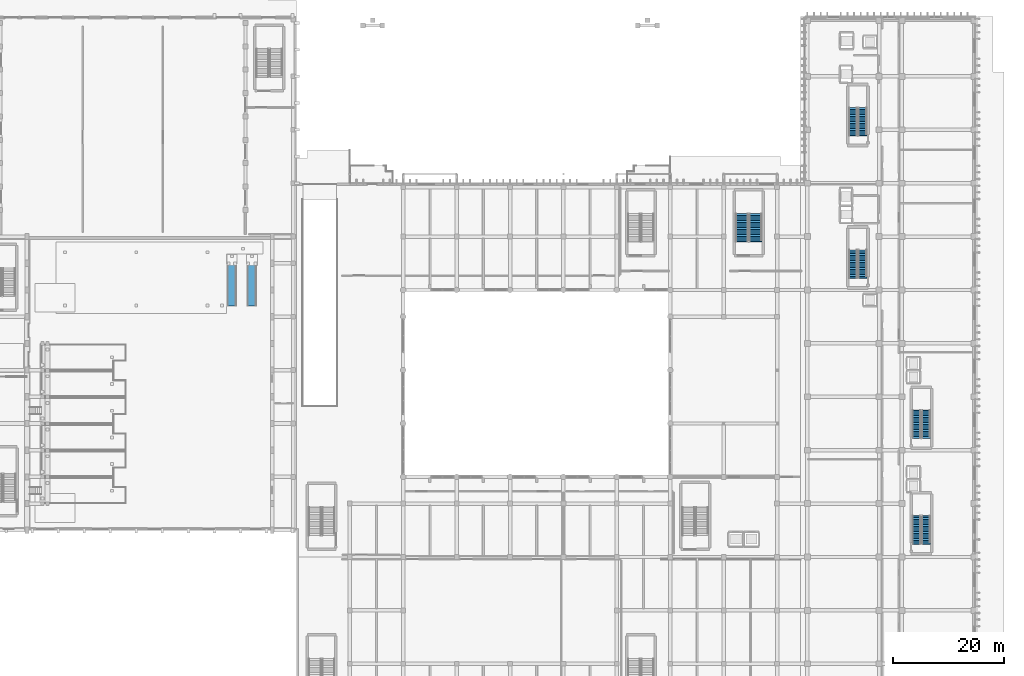
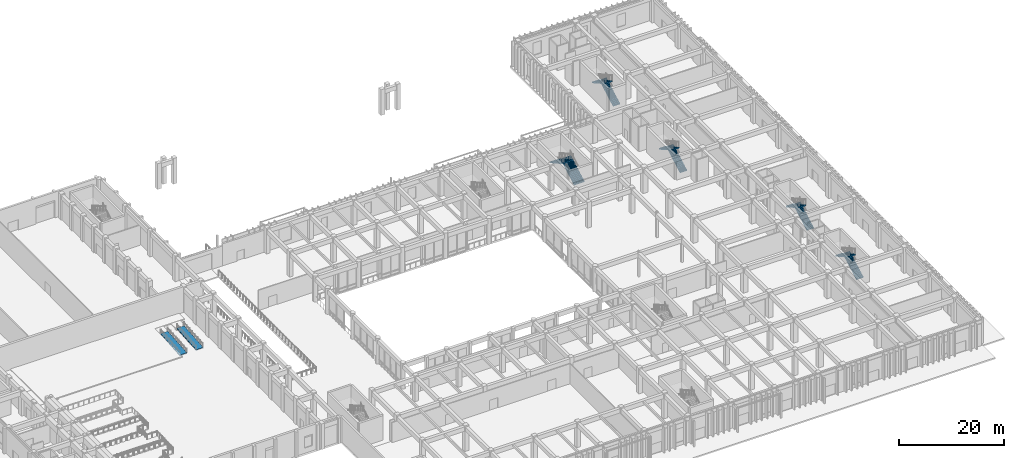
# One storey, part 54 of 87: 10 stair flights, 2 ramp flights, 7 elements without a shape of their own.
"""IFC4 building model written with IfcOpenShell, lengths in metres."""

from ifc_helpers import new_model, si_unit, direction, frame, origin, place, context, subcontext, project, spatial, polyline, outline, extrude, material, layer, layer_set, type_object, element, aggregate, save


model = new_model("IFC4")

# Units and contexts
model_context = context("Model", 3, precision=1e-05, world=origin(), true_north=direction((0.0, 1.0)))
body_context = subcontext(model_context, "Body", "Model", "MODEL_VIEW")
ifc_project = project(units=[si_unit("LENGTHUNIT", "METRE"), si_unit("AREAUNIT", "SQUARE_METRE"), si_unit("VOLUMEUNIT", "CUBIC_METRE"), si_unit("PLANEANGLEUNIT", "RADIAN"), si_unit("MASSUNIT", "GRAM", prefix="KILO")], contexts=[model_context])

# Site, building, storey
site_placement = place(None, origin())
site = spatial("IfcSite", under=ifc_project, at=site_placement, CompositionType="ELEMENT")
building_placement = place(site_placement, origin())
building = spatial("IfcBuilding", under=site, at=building_placement, Name="Nakhvara Creek Congress Hotel", CompositionType="ELEMENT")
storey_placement = place(building_placement, origin())
storey = spatial("IfcBuildingStorey", under=building, at=storey_placement, Name="L00", CompositionType="ELEMENT", Elevation=0.0)

# Stair, stair flights
ifc_material = material(Name="Concrete C40/50", Category="concrete")
stair_type_1 = type_object("IfcStairType", Name="ST-CORE-160", PredefinedType="HALF_TURN_STAIR", material=ifc_material)
stair_1_placement = place(storey_placement, origin())
stair_1 = element("IfcStair", 1, at=stair_1_placement, inside=storey, type_object=stair_type_1, Name="L00 Protected Exit Stair ST01", PredefinedType="HALF_TURN_STAIR")
ifc_layer_1 = layer(ifc_material, 0.18994140625)
ifc_layer_set_1 = layer_set([ifc_layer_1], Name="Concrete C40/50")
stair_flight_type_1 = type_object("IfcStairFlightType", Name="SFL-RC-160", PredefinedType="STRAIGHT", material=ifc_layer_set_1)
stair_flight_1_placement = place(storey_placement, frame((159.3798828125, 78.93994140625, 0.0), z_axis=(0.0, 0.0, 1.0), x_axis=(0.0, 1.0, 0.0)))
stair_flight_1 = element("IfcStairFlight", 2, at=stair_flight_1_placement, type_object=stair_flight_type_1, Name="ST01 flight 1", NumberOfRisers=17, NumberOfTreads=16, PredefinedType="STRAIGHT", RiserHeight=0.176470588, TreadLength=0.315, context=body_context, shape_type="SweptSolid", body=[
    extrude(outline(polyline([(-0.048095703125, 0.0), (0.0, 0.0), (0.0, 0.176513671875), (0.31494140625, 0.176513671875), (0.31494140625, 0.35302734375), (0.6298828125, 0.35302734375), (0.6298828125, 0.529296875), (0.945068359375, 0.529296875), (0.945068359375, 0.705810546875), (1.260009765625, 0.705810546875), (1.260009765625, 0.88232421875), (1.574951171875, 0.88232421875), (1.574951171875, 1.058837890625), (1.889892578125, 1.058837890625), (1.889892578125, 1.2353515625), (2.205078125, 1.2353515625), (2.205078125, 1.411865234375), (2.52001953125, 1.411865234375), (2.52001953125, 1.588134765625), (2.8349609375, 1.588134765625), (2.8349609375, 1.7646484375), (3.14990234375, 1.7646484375), (3.14990234375, 1.941162109375), (3.465087890625, 1.941162109375), (3.465087890625, 2.11767578125), (3.780029296875, 2.11767578125), (3.780029296875, 2.294189453125), (4.094970703125, 2.294189453125), (4.094970703125, 2.470703125), (4.409912109375, 2.470703125), (4.409912109375, 2.64697265625), (4.72509765625, 2.64697265625), (4.72509765625, 2.823486328125), (5.0400390625, 2.823486328125), (5.0400390625, 3.0), (5.088134765625, 3.0), (5.088134765625, 2.85009765625), (5.0400390625, 2.651611328125), (0.0390625, -0.14990234375), (-0.048095703125, -0.14990234375), (-0.048095703125, 0.0)])), frame((0.0, 0.77001953125, 0.0), z_axis=(0.0, -1.0, 0.0), x_axis=(1.0, 0.0, 0.0)), (0.0, 0.0, 1.0), 1.5400390625),
])
stair_flight_2_placement = place(storey_placement, frame((157.68994140625, 83.97998046875, 3.0), z_axis=(0.0, 0.0, 1.0), x_axis=(0.0, -1.0, 0.0)))
stair_flight_2 = element("IfcStairFlight", 3, at=stair_flight_2_placement, type_object=stair_flight_type_1, Name="ST01 flight 2", NumberOfRisers=17, NumberOfTreads=16, PredefinedType="STRAIGHT", RiserHeight=0.176470588, TreadLength=0.315, context=body_context, shape_type="SweptSolid", body=[
    extrude(outline(polyline([(-0.048095703125, 0.0), (0.0, 0.0), (0.0, 0.176513671875), (0.31494140625, 0.176513671875), (0.31494140625, 0.35302734375), (0.6298828125, 0.35302734375), (0.6298828125, 0.529296875), (0.945068359375, 0.529296875), (0.945068359375, 0.705810546875), (1.260009765625, 0.705810546875), (1.260009765625, 0.88232421875), (1.574951171875, 0.88232421875), (1.574951171875, 1.058837890625), (1.889892578125, 1.058837890625), (1.889892578125, 1.2353515625), (2.205078125, 1.2353515625), (2.205078125, 1.411865234375), (2.52001953125, 1.411865234375), (2.52001953125, 1.588134765625), (2.8349609375, 1.588134765625), (2.8349609375, 1.7646484375), (3.14990234375, 1.7646484375), (3.14990234375, 1.941162109375), (3.465087890625, 1.941162109375), (3.465087890625, 2.11767578125), (3.780029296875, 2.11767578125), (3.780029296875, 2.294189453125), (4.094970703125, 2.294189453125), (4.094970703125, 2.470703125), (4.409912109375, 2.470703125), (4.409912109375, 2.64697265625), (4.72509765625, 2.64697265625), (4.72509765625, 2.823486328125), (5.0400390625, 2.823486328125), (5.0400390625, 3.0), (5.088134765625, 3.0), (5.088134765625, 2.85009765625), (5.0400390625, 2.651611328125), (0.0390625, -0.14990234375), (-0.048095703125, -0.14990234375), (-0.048095703125, 0.0)])), frame((0.0, 0.77001953125, 0.0), z_axis=(0.0, -1.0, 0.0), x_axis=(1.0, 0.0, 0.0)), (0.0, 0.0, 1.0), 1.5400390625),
])
aggregate(stair_1, [stair_flight_1, stair_flight_2])

stair_2_placement = place(storey_placement, origin())
stair_2 = element("IfcStair", 4, at=stair_2_placement, inside=storey, type_object=stair_type_1, Name="L00 Protected Exit Stair ST02", PredefinedType="HALF_TURN_STAIR")
stair_flight_3_placement = place(storey_placement, frame((159.3798828125, 104.5400390625, 0.0), z_axis=(0.0, 0.0, 1.0), x_axis=(0.0, 1.0, 0.0)))
stair_flight_3 = element("IfcStairFlight", 5, at=stair_flight_3_placement, type_object=stair_flight_type_1, Name="ST02 flight 1", NumberOfRisers=17, NumberOfTreads=16, PredefinedType="STRAIGHT", RiserHeight=0.176470588, TreadLength=0.315, context=body_context, shape_type="SweptSolid", body=[
    extrude(outline(polyline([(-0.048095703125, 0.0), (0.0, 0.0), (0.0, 0.176513671875), (0.31494140625, 0.176513671875), (0.31494140625, 0.35302734375), (0.6298828125, 0.35302734375), (0.6298828125, 0.529296875), (0.945068359375, 0.529296875), (0.945068359375, 0.705810546875), (1.260009765625, 0.705810546875), (1.260009765625, 0.88232421875), (1.574951171875, 0.88232421875), (1.574951171875, 1.058837890625), (1.889892578125, 1.058837890625), (1.889892578125, 1.2353515625), (2.205078125, 1.2353515625), (2.205078125, 1.411865234375), (2.52001953125, 1.411865234375), (2.52001953125, 1.588134765625), (2.8349609375, 1.588134765625), (2.8349609375, 1.7646484375), (3.14990234375, 1.7646484375), (3.14990234375, 1.941162109375), (3.465087890625, 1.941162109375), (3.465087890625, 2.11767578125), (3.780029296875, 2.11767578125), (3.780029296875, 2.294189453125), (4.094970703125, 2.294189453125), (4.094970703125, 2.470703125), (4.409912109375, 2.470703125), (4.409912109375, 2.64697265625), (4.72509765625, 2.64697265625), (4.72509765625, 2.823486328125), (5.0400390625, 2.823486328125), (5.0400390625, 3.0), (5.088134765625, 3.0), (5.088134765625, 2.85009765625), (5.0400390625, 2.651611328125), (0.0390625, -0.14990234375), (-0.048095703125, -0.14990234375), (-0.048095703125, 0.0)])), frame((0.0, 0.77001953125, 0.0), z_axis=(0.0, -1.0, 0.0), x_axis=(1.0, 0.0, 0.0)), (0.0, 0.0, 1.0), 1.5400390625),
])
stair_flight_4_placement = place(storey_placement, frame((157.68994140625, 109.580078125, 3.0), z_axis=(0.0, 0.0, 1.0), x_axis=(0.0, -1.0, 0.0)))
stair_flight_4 = element("IfcStairFlight", 6, at=stair_flight_4_placement, type_object=stair_flight_type_1, Name="ST02 flight 2", NumberOfRisers=17, NumberOfTreads=16, PredefinedType="STRAIGHT", RiserHeight=0.176470588, TreadLength=0.315, context=body_context, shape_type="SweptSolid", body=[
    extrude(outline(polyline([(-0.048095703125, 0.0), (0.0, 0.0), (0.0, 0.176513671875), (0.31494140625, 0.176513671875), (0.31494140625, 0.35302734375), (0.6298828125, 0.35302734375), (0.6298828125, 0.529296875), (0.945068359375, 0.529296875), (0.945068359375, 0.705810546875), (1.260009765625, 0.705810546875), (1.260009765625, 0.88232421875), (1.574951171875, 0.88232421875), (1.574951171875, 1.058837890625), (1.889892578125, 1.058837890625), (1.889892578125, 1.2353515625), (2.205078125, 1.2353515625), (2.205078125, 1.411865234375), (2.52001953125, 1.411865234375), (2.52001953125, 1.588134765625), (2.8349609375, 1.588134765625), (2.8349609375, 1.7646484375), (3.14990234375, 1.7646484375), (3.14990234375, 1.941162109375), (3.465087890625, 1.941162109375), (3.465087890625, 2.11767578125), (3.780029296875, 2.11767578125), (3.780029296875, 2.294189453125), (4.094970703125, 2.294189453125), (4.094970703125, 2.470703125), (4.409912109375, 2.470703125), (4.409912109375, 2.64697265625), (4.72509765625, 2.64697265625), (4.72509765625, 2.823486328125), (5.0400390625, 2.823486328125), (5.0400390625, 3.0), (5.088134765625, 3.0), (5.088134765625, 2.85009765625), (5.0400390625, 2.651611328125), (0.0390625, -0.14990234375), (-0.048095703125, -0.14990234375), (-0.048095703125, 0.0)])), frame((0.0, 0.77001953125, 0.0), z_axis=(0.0, -1.0, 0.0), x_axis=(1.0, 0.0, 0.0)), (0.0, 0.0, 1.0), 1.5400390625),
])
aggregate(stair_2, [stair_flight_3, stair_flight_4])

stair_3_placement = place(storey_placement, origin())
stair_3 = element("IfcStair", 7, at=stair_3_placement, inside=storey, type_object=stair_type_1, Name="L00 Protected Exit Stair ST03", PredefinedType="HALF_TURN_STAIR")
stair_flight_5_placement = place(storey_placement, frame((170.780029296875, 31.139892578125, 0.0), z_axis=(0.0, 0.0, 1.0), x_axis=(0.0, 1.0, 0.0)))
stair_flight_5 = element("IfcStairFlight", 8, at=stair_flight_5_placement, type_object=stair_flight_type_1, Name="ST03 flight 1", NumberOfRisers=17, NumberOfTreads=16, PredefinedType="STRAIGHT", RiserHeight=0.176470588, TreadLength=0.315, context=body_context, shape_type="SweptSolid", body=[
    extrude(outline(polyline([(-0.048095703125, 0.0), (0.0, 0.0), (0.0, 0.176513671875), (0.31494140625, 0.176513671875), (0.31494140625, 0.35302734375), (0.6298828125, 0.35302734375), (0.6298828125, 0.529296875), (0.945068359375, 0.529296875), (0.945068359375, 0.705810546875), (1.260009765625, 0.705810546875), (1.260009765625, 0.88232421875), (1.574951171875, 0.88232421875), (1.574951171875, 1.058837890625), (1.889892578125, 1.058837890625), (1.889892578125, 1.2353515625), (2.205078125, 1.2353515625), (2.205078125, 1.411865234375), (2.52001953125, 1.411865234375), (2.52001953125, 1.588134765625), (2.8349609375, 1.588134765625), (2.8349609375, 1.7646484375), (3.14990234375, 1.7646484375), (3.14990234375, 1.941162109375), (3.465087890625, 1.941162109375), (3.465087890625, 2.11767578125), (3.780029296875, 2.11767578125), (3.780029296875, 2.294189453125), (4.094970703125, 2.294189453125), (4.094970703125, 2.470703125), (4.409912109375, 2.470703125), (4.409912109375, 2.64697265625), (4.72509765625, 2.64697265625), (4.72509765625, 2.823486328125), (5.0400390625, 2.823486328125), (5.0400390625, 3.0), (5.088134765625, 3.0), (5.088134765625, 2.85009765625), (5.0400390625, 2.651611328125), (0.0390625, -0.14990234375), (-0.048095703125, -0.14990234375), (-0.048095703125, 0.0)])), frame((0.0, 0.77001953125, 0.0), z_axis=(0.0, -1.0, 0.0), x_axis=(1.0, 0.0, 0.0)), (0.0, 0.0, 1.0), 1.5400390625),
])
stair_flight_6_placement = place(storey_placement, frame((169.090087890625, 36.179931640625, 3.0), z_axis=(0.0, 0.0, 1.0), x_axis=(0.0, -1.0, 0.0)))
stair_flight_6 = element("IfcStairFlight", 9, at=stair_flight_6_placement, type_object=stair_flight_type_1, Name="ST03 flight 2", NumberOfRisers=17, NumberOfTreads=16, PredefinedType="STRAIGHT", RiserHeight=0.176470588, TreadLength=0.315, context=body_context, shape_type="SweptSolid", body=[
    extrude(outline(polyline([(-0.048095703125, 0.0), (0.0, 0.0), (0.0, 0.176513671875), (0.31494140625, 0.176513671875), (0.31494140625, 0.35302734375), (0.6298828125, 0.35302734375), (0.6298828125, 0.529296875), (0.945068359375, 0.529296875), (0.945068359375, 0.705810546875), (1.260009765625, 0.705810546875), (1.260009765625, 0.88232421875), (1.574951171875, 0.88232421875), (1.574951171875, 1.058837890625), (1.889892578125, 1.058837890625), (1.889892578125, 1.2353515625), (2.205078125, 1.2353515625), (2.205078125, 1.411865234375), (2.52001953125, 1.411865234375), (2.52001953125, 1.588134765625), (2.8349609375, 1.588134765625), (2.8349609375, 1.7646484375), (3.14990234375, 1.7646484375), (3.14990234375, 1.941162109375), (3.465087890625, 1.941162109375), (3.465087890625, 2.11767578125), (3.780029296875, 2.11767578125), (3.780029296875, 2.294189453125), (4.094970703125, 2.294189453125), (4.094970703125, 2.470703125), (4.409912109375, 2.470703125), (4.409912109375, 2.64697265625), (4.72509765625, 2.64697265625), (4.72509765625, 2.823486328125), (5.0400390625, 2.823486328125), (5.0400390625, 3.0), (5.088134765625, 3.0), (5.088134765625, 2.85009765625), (5.0400390625, 2.651611328125), (0.0390625, -0.14990234375), (-0.048095703125, -0.14990234375), (-0.048095703125, 0.0)])), frame((0.0, 0.77001953125, 0.0), z_axis=(0.0, -1.0, 0.0), x_axis=(1.0, 0.0, 0.0)), (0.0, 0.0, 1.0), 1.5400390625),
])
aggregate(stair_3, [stair_flight_5, stair_flight_6])

stair_4_placement = place(storey_placement, origin())
stair_4 = element("IfcStair", 10, at=stair_4_placement, inside=storey, type_object=stair_type_1, Name="L00 Protected Exit Stair ST04", PredefinedType="HALF_TURN_STAIR")
stair_flight_7_placement = place(storey_placement, frame((170.780029296875, 50.139892578125, 0.0), z_axis=(0.0, 0.0, 1.0), x_axis=(0.0, 1.0, 0.0)))
stair_flight_7 = element("IfcStairFlight", 11, at=stair_flight_7_placement, type_object=stair_flight_type_1, Name="ST04 flight 1", NumberOfRisers=17, NumberOfTreads=16, PredefinedType="STRAIGHT", RiserHeight=0.176470588, TreadLength=0.315, context=body_context, shape_type="SweptSolid", body=[
    extrude(outline(polyline([(-0.048095703125, 0.0), (0.0, 0.0), (0.0, 0.176513671875), (0.31494140625, 0.176513671875), (0.31494140625, 0.35302734375), (0.6298828125, 0.35302734375), (0.6298828125, 0.529296875), (0.945068359375, 0.529296875), (0.945068359375, 0.705810546875), (1.260009765625, 0.705810546875), (1.260009765625, 0.88232421875), (1.574951171875, 0.88232421875), (1.574951171875, 1.058837890625), (1.889892578125, 1.058837890625), (1.889892578125, 1.2353515625), (2.205078125, 1.2353515625), (2.205078125, 1.411865234375), (2.52001953125, 1.411865234375), (2.52001953125, 1.588134765625), (2.8349609375, 1.588134765625), (2.8349609375, 1.7646484375), (3.14990234375, 1.7646484375), (3.14990234375, 1.941162109375), (3.465087890625, 1.941162109375), (3.465087890625, 2.11767578125), (3.780029296875, 2.11767578125), (3.780029296875, 2.294189453125), (4.094970703125, 2.294189453125), (4.094970703125, 2.470703125), (4.409912109375, 2.470703125), (4.409912109375, 2.64697265625), (4.72509765625, 2.64697265625), (4.72509765625, 2.823486328125), (5.0400390625, 2.823486328125), (5.0400390625, 3.0), (5.088134765625, 3.0), (5.088134765625, 2.85009765625), (5.0400390625, 2.651611328125), (0.0390625, -0.14990234375), (-0.048095703125, -0.14990234375), (-0.048095703125, 0.0)])), frame((0.0, 0.77001953125, 0.0), z_axis=(0.0, -1.0, 0.0), x_axis=(1.0, 0.0, 0.0)), (0.0, 0.0, 1.0), 1.5400390625),
])
stair_flight_8_placement = place(storey_placement, frame((169.090087890625, 55.179931640625, 3.0), z_axis=(0.0, 0.0, 1.0), x_axis=(0.0, -1.0, 0.0)))
stair_flight_8 = element("IfcStairFlight", 12, at=stair_flight_8_placement, type_object=stair_flight_type_1, Name="ST04 flight 2", NumberOfRisers=17, NumberOfTreads=16, PredefinedType="STRAIGHT", RiserHeight=0.176470588, TreadLength=0.315, context=body_context, shape_type="SweptSolid", body=[
    extrude(outline(polyline([(-0.048095703125, 0.0), (0.0, 0.0), (0.0, 0.176513671875), (0.31494140625, 0.176513671875), (0.31494140625, 0.35302734375), (0.6298828125, 0.35302734375), (0.6298828125, 0.529296875), (0.945068359375, 0.529296875), (0.945068359375, 0.705810546875), (1.260009765625, 0.705810546875), (1.260009765625, 0.88232421875), (1.574951171875, 0.88232421875), (1.574951171875, 1.058837890625), (1.889892578125, 1.058837890625), (1.889892578125, 1.2353515625), (2.205078125, 1.2353515625), (2.205078125, 1.411865234375), (2.52001953125, 1.411865234375), (2.52001953125, 1.588134765625), (2.8349609375, 1.588134765625), (2.8349609375, 1.7646484375), (3.14990234375, 1.7646484375), (3.14990234375, 1.941162109375), (3.465087890625, 1.941162109375), (3.465087890625, 2.11767578125), (3.780029296875, 2.11767578125), (3.780029296875, 2.294189453125), (4.094970703125, 2.294189453125), (4.094970703125, 2.470703125), (4.409912109375, 2.470703125), (4.409912109375, 2.64697265625), (4.72509765625, 2.64697265625), (4.72509765625, 2.823486328125), (5.0400390625, 2.823486328125), (5.0400390625, 3.0), (5.088134765625, 3.0), (5.088134765625, 2.85009765625), (5.0400390625, 2.651611328125), (0.0390625, -0.14990234375), (-0.048095703125, -0.14990234375), (-0.048095703125, 0.0)])), frame((0.0, 0.77001953125, 0.0), z_axis=(0.0, -1.0, 0.0), x_axis=(1.0, 0.0, 0.0)), (0.0, 0.0, 1.0), 1.5400390625),
])
aggregate(stair_4, [stair_flight_7, stair_flight_8])

stair_type_2 = type_object("IfcStairType", Name="ST-CORE-230", PredefinedType="HALF_TURN_STAIR", material=ifc_material)
stair_5_placement = place(storey_placement, origin())
stair_5 = element("IfcStair", 13, at=stair_5_placement, inside=storey, type_object=stair_type_2, Name="L00 Protected Exit Stair ST10", PredefinedType="HALF_TURN_STAIR")
ifc_layer_2 = layer(ifc_material, 0.219970703125)
ifc_layer_set_2 = layer_set([ifc_layer_2], Name="Concrete C40/50")
stair_flight_type_2 = type_object("IfcStairFlightType", Name="SFL-RC-230", PredefinedType="STRAIGHT", material=ifc_layer_set_2)
stair_flight_9_placement = place(storey_placement, frame((140.139892578125, 85.47998046875, 0.0), z_axis=(0.0, 0.0, 1.0), x_axis=(0.0, 1.0, 0.0)))
stair_flight_9 = element("IfcStairFlight", 14, at=stair_flight_9_placement, type_object=stair_flight_type_2, Name="ST10 flight 1", NumberOfRisers=17, NumberOfTreads=16, PredefinedType="STRAIGHT", RiserHeight=0.176470588, TreadLength=0.315, context=body_context, shape_type="SweptSolid", body=[
    extrude(outline(polyline([(-0.048095703125, 0.0), (0.0, 0.0), (0.0, 0.176513671875), (0.31494140625, 0.176513671875), (0.31494140625, 0.35302734375), (0.6298828125, 0.35302734375), (0.6298828125, 0.529296875), (0.945068359375, 0.529296875), (0.945068359375, 0.705810546875), (1.260009765625, 0.705810546875), (1.260009765625, 0.88232421875), (1.574951171875, 0.88232421875), (1.574951171875, 1.058837890625), (1.889892578125, 1.058837890625), (1.889892578125, 1.2353515625), (2.205078125, 1.2353515625), (2.205078125, 1.411865234375), (2.52001953125, 1.411865234375), (2.52001953125, 1.588134765625), (2.8349609375, 1.588134765625), (2.8349609375, 1.7646484375), (3.14990234375, 1.7646484375), (3.14990234375, 1.941162109375), (3.465087890625, 1.941162109375), (3.465087890625, 2.11767578125), (3.780029296875, 2.11767578125), (3.780029296875, 2.294189453125), (4.094970703125, 2.294189453125), (4.094970703125, 2.470703125), (4.409912109375, 2.470703125), (4.409912109375, 2.64697265625), (4.72509765625, 2.64697265625), (4.72509765625, 2.823486328125), (5.0400390625, 2.823486328125), (5.0400390625, 3.0), (5.088134765625, 3.0), (5.088134765625, 2.85009765625), (5.0400390625, 2.651611328125), (0.0390625, -0.14990234375), (-0.048095703125, -0.14990234375), (-0.048095703125, 0.0)])), frame((0.0, 1.14013671875, 0.0), z_axis=(0.0, -1.0, 0.0), x_axis=(1.0, 0.0, 0.0)), (0.0, 0.0, 1.0), 2.280029296875),
])
stair_flight_10_placement = place(storey_placement, frame((137.7099609375, 90.52001953125, 3.0), z_axis=(0.0, 0.0, 1.0), x_axis=(0.0, -1.0, 0.0)))
stair_flight_10 = element("IfcStairFlight", 15, at=stair_flight_10_placement, type_object=stair_flight_type_2, Name="ST10 flight 2", NumberOfRisers=17, NumberOfTreads=16, PredefinedType="STRAIGHT", RiserHeight=0.176470588, TreadLength=0.315, context=body_context, shape_type="SweptSolid", body=[
    extrude(outline(polyline([(-0.048095703125, 0.0), (0.0, 0.0), (0.0, 0.176513671875), (0.31494140625, 0.176513671875), (0.31494140625, 0.35302734375), (0.6298828125, 0.35302734375), (0.6298828125, 0.529296875), (0.945068359375, 0.529296875), (0.945068359375, 0.705810546875), (1.260009765625, 0.705810546875), (1.260009765625, 0.88232421875), (1.574951171875, 0.88232421875), (1.574951171875, 1.058837890625), (1.889892578125, 1.058837890625), (1.889892578125, 1.2353515625), (2.205078125, 1.2353515625), (2.205078125, 1.411865234375), (2.52001953125, 1.411865234375), (2.52001953125, 1.588134765625), (2.8349609375, 1.588134765625), (2.8349609375, 1.7646484375), (3.14990234375, 1.7646484375), (3.14990234375, 1.941162109375), (3.465087890625, 1.941162109375), (3.465087890625, 2.11767578125), (3.780029296875, 2.11767578125), (3.780029296875, 2.294189453125), (4.094970703125, 2.294189453125), (4.094970703125, 2.470703125), (4.409912109375, 2.470703125), (4.409912109375, 2.64697265625), (4.72509765625, 2.64697265625), (4.72509765625, 2.823486328125), (5.0400390625, 2.823486328125), (5.0400390625, 3.0), (5.088134765625, 3.0), (5.088134765625, 2.85009765625), (5.0400390625, 2.651611328125), (0.0390625, -0.14990234375), (-0.048095703125, -0.14990234375), (-0.048095703125, 0.0)])), frame((0.0, 1.14013671875, 0.0), z_axis=(0.0, -1.0, 0.0), x_axis=(1.0, 0.0, 0.0)), (0.0, 0.0, 1.0), 2.280029296875),
])
aggregate(stair_5, [stair_flight_9, stair_flight_10])

# Ramp, ramp flight
ramp_type = type_object("IfcRampType", Name="RMP-PED-180", PredefinedType="STRAIGHT_RUN_RAMP", material=ifc_material)
ramp_1_placement = place(storey_placement, origin())
ramp_1 = element("IfcRamp", 16, at=ramp_1_placement, inside=storey, type_object=ramp_type, Name="Accessible Pedestrian Ramp PR03", PredefinedType="STRAIGHT_RUN_RAMP")
ifc_layer_3 = layer(ifc_material, 0.219970703125)
ifc_layer_set_3 = layer_set([ifc_layer_3], Name="Concrete C40/50")
ramp_flight_type = type_object("IfcRampFlightType", Name="RFL-PED-180", PredefinedType="STRAIGHT", material=ifc_layer_set_3)
ramp_flight_1_placement = place(storey_placement, frame((46.0, 74.0, 0.0), z_axis=(0.0, 0.0, 1.0), x_axis=(0.0, 1.0, 0.0)))
ramp_flight_1 = element("IfcRampFlight", 17, at=ramp_flight_1_placement, type_object=ramp_flight_type, Name="Accessible Ramp Flight PR03-F1", PredefinedType="STRAIGHT", context=body_context, shape_type="SweptSolid", body=[
    extrude(outline(polyline([(-0.080078125, 0.0), (7.280029296875, 0.60009765625), (7.280029296875, 0.380126953125), (-0.080078125, -0.219970703125), (-0.080078125, 0.0)])), frame((0.0, 0.800048828125, 0.0), z_axis=(0.0, -1.0, 0.0), x_axis=(1.0, 0.0, 0.0)), (0.0, 0.0, 1.0), 1.60009765625),
])
aggregate(ramp_1, [ramp_flight_1])

ramp_2_placement = place(storey_placement, origin())
ramp_2 = element("IfcRamp", 18, at=ramp_2_placement, inside=storey, type_object=ramp_type, Name="Accessible Pedestrian Ramp PR05", PredefinedType="STRAIGHT_RUN_RAMP")
ramp_flight_2_placement = place(storey_placement, frame((49.60009765625, 74.0, 0.0), z_axis=(0.0, 0.0, 1.0), x_axis=(0.0, 1.0, 0.0)))
ramp_flight_2 = element("IfcRampFlight", 19, at=ramp_flight_2_placement, type_object=ramp_flight_type, Name="Accessible Ramp Flight PR05-F1", PredefinedType="STRAIGHT", context=body_context, shape_type="SweptSolid", body=[
    extrude(outline(polyline([(-0.080078125, 0.0), (7.280029296875, 0.60009765625), (7.280029296875, 0.380126953125), (-0.080078125, -0.219970703125), (-0.080078125, 0.0)])), frame((0.0, 0.800048828125, 0.0), z_axis=(0.0, -1.0, 0.0), x_axis=(1.0, 0.0, 0.0)), (0.0, 0.0, 1.0), 1.60009765625),
])
aggregate(ramp_2, [ramp_flight_2])

save(model, "model.ifc")
